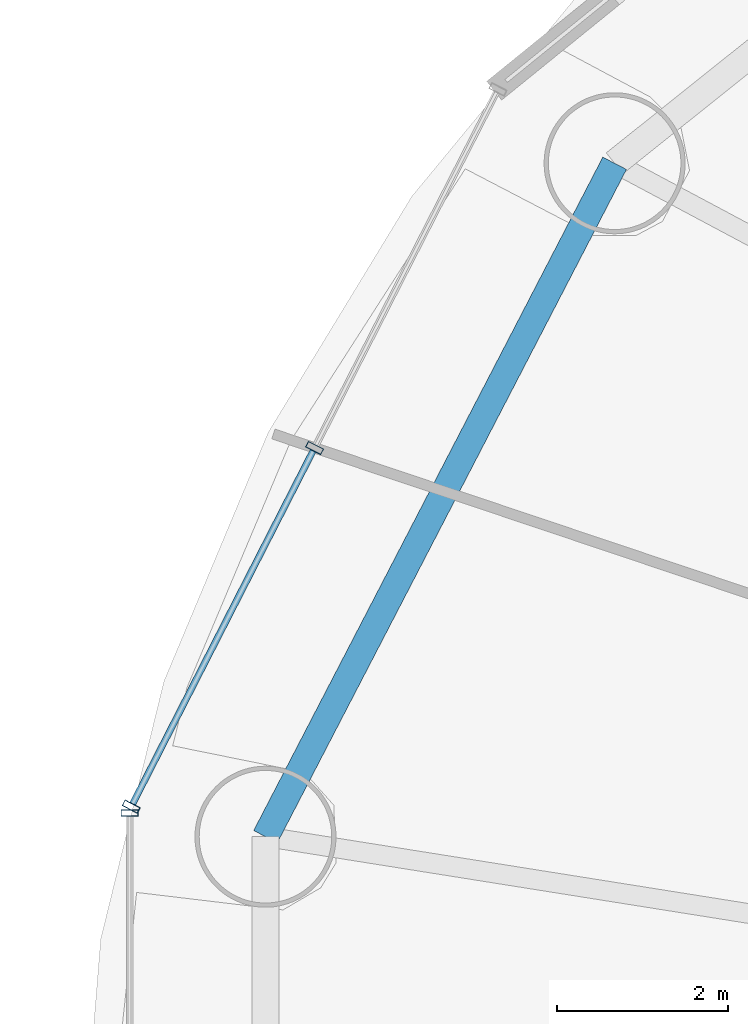
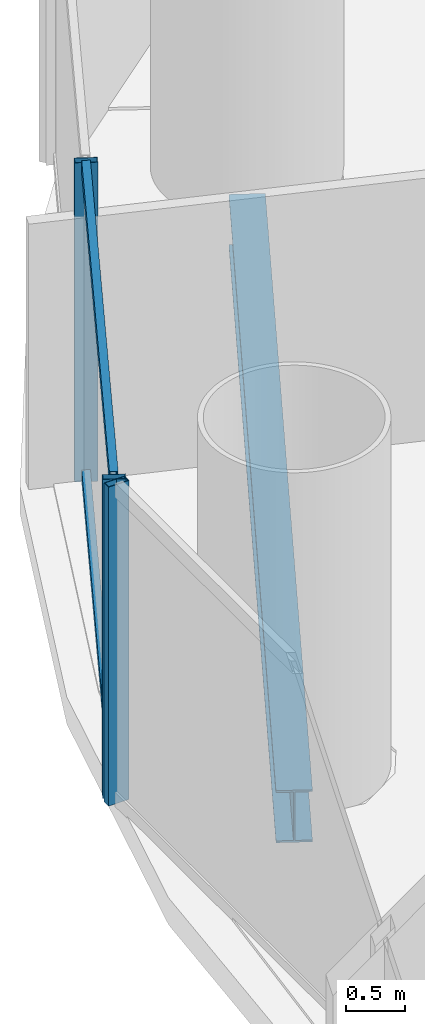
# One storey, part 9 of 30: 5 members, 1 beam, 2 elements without a shape of their own.
"""IFC4 building model written with IfcOpenShell, lengths in metres."""

from ifc_helpers import new_model, si_unit, direction, frame, origin, origin_2d, place, context, subcontext, project, spatial, hollow_rectangle, i_section, extrude, source, transform, mapped, material, material_profile, profile_set, type_object, element, aggregate, save


model = new_model("IFC4")

# Units and contexts
model_context = context("Model", 3, precision=1e-05, world=origin(), true_north=direction((-0.2419218956, 0.970295726276)))
body_context = subcontext(model_context, "Body", "Model", "MODEL_VIEW")
ifc_project = project(units=[si_unit("LENGTHUNIT", "METRE"), si_unit("AREAUNIT", "SQUARE_METRE"), si_unit("VOLUMEUNIT", "CUBIC_METRE"), si_unit("PLANEANGLEUNIT", "RADIAN"), si_unit("MASSUNIT", "GRAM", prefix="KILO")], contexts=[model_context])

# Site, building, storey
site_placement = place(None, origin())
site = spatial("IfcSite", under=ifc_project, at=site_placement, CompositionType="ELEMENT")
building_placement = place(site_placement, origin())
building = spatial("IfcBuilding", under=site, at=building_placement, Name="Cobrevalo Terracotta Tower", CompositionType="ELEMENT")
storey_placement = place(building_placement, frame((0.0, 0.0, 60.0)))
storey = spatial("IfcBuildingStorey", under=building, at=storey_placement, Name="L15", CompositionType="ELEMENT", Elevation=60.0)

# Beam
ifc_material_1 = material(Name="Steel S355", Category="steel")
ifc_material_profile_1 = material_profile(ifc_material_1, i_section(OverallWidth=0.31201171875, OverallDepth=0.54296875, WebThickness=0.0126953125, FlangeThickness=0.020263671875, at=origin_2d()), Name="W 530x150")
ifc_profile_set_1 = profile_set([ifc_material_profile_1], Name="Steel S355")
beam_type = type_object("IfcBeamType", Name="Structural Spandrel W 530x150 (Steel S355)", PredefinedType="SPANDREL", material=ifc_profile_set_1)
beam_placement = place(storey_placement, frame((15.25927734375, 38.939208984375, -0.551513671875), z_axis=(-0.460285838799, -0.88777077368, 0.0), x_axis=(0.88777077368, -0.460285838799, 0.0)))
element("IfcBeam", 1, at=beam_placement, inside=storey, type_object=beam_type, Name="L15 perimeter ring spandrel 07", PredefinedType="SPANDREL", context=body_context, shape_type="SweptSolid", body=[
    extrude(i_section(OverallWidth=0.31201171875, OverallDepth=0.54296875, WebThickness=0.0126953125, FlangeThickness=0.020263671875, at=origin_2d()), origin(), (0.0, 0.0, 1.0), 8.8720703125),
])

# Curtain wall, members
ifc_material_2 = material(Name="Anodized aluminium", Category="aluminium")
curtain_wall_type = type_object("IfcCurtainWallType", Name="Lower-tower unitised acoustic low-E curtain wall CW-U1", PredefinedType="NOTDEFINED", material=ifc_material_2)
curtain_wall_1_placement = place(storey_placement, origin())
curtain_wall_1 = element("IfcCurtainWall", 2, at=curtain_wall_1_placement, inside=storey, type_object=curtain_wall_type, Name="L15 curtain wall CW-L15-S07", PredefinedType="NOTDEFINED")
ifc_material_profile_2 = material_profile(ifc_material_2, hollow_rectangle(XDim=0.074951171875, YDim=0.199951171875, WallThickness=0.0048828125, at=origin_2d()), Name="CWM 75x200")
ifc_profile_set_2 = profile_set([ifc_material_profile_2], Name="Anodized aluminium")
member_type_1 = type_object("IfcMemberType", Name="Lower/mid tower unitised mullion 75x200", PredefinedType="MULLION", material=ifc_profile_set_2)
shared_shape_1 = source(origin(), body_context, "Body", "SweptSolid", [
    extrude(hollow_rectangle(XDim=0.074951171875, YDim=0.199951171875, WallThickness=0.0048828125, at=origin_2d()), origin(), (0.0, 0.0, 1.0), 3.320068359375),
])
member_1_placement = place(storey_placement, frame((11.74951171875, 35.60888671875, 0.0), z_axis=(0.0, 0.0, 1.0), x_axis=(-0.455234136597, -0.890371765543, 0.0)))
member_1 = element("IfcMember", 3, at=member_1_placement, type_object=member_type_1, Name="CW-L15-S07 vertical mullion 02", PredefinedType="MULLION", context=body_context, shape_type="MappedRepresentation", body=[
    mapped(shared_shape_1, transform((0.0, 0.0, 0.0), scale=1.0)),
])
member_2_placement = place(storey_placement, frame((9.60498046875, 31.414306640625, 0.0), z_axis=(0.0, 0.0, 1.0), x_axis=(-0.455234136597, -0.890371765543, 0.0)))
member_2 = element("IfcMember", 4, at=member_2_placement, type_object=member_type_1, Name="CW-L15-S07 vertical mullion 03", PredefinedType="MULLION", context=body_context, shape_type="MappedRepresentation", body=[
    mapped(shared_shape_1, transform((0.0, 0.0, 0.0), scale=1.0)),
])

# Curtain wall, member
curtain_wall_2_placement = place(storey_placement, origin())
curtain_wall_2 = element("IfcCurtainWall", 5, at=curtain_wall_2_placement, inside=storey, type_object=curtain_wall_type, Name="L15 curtain wall CW-L15-S08", PredefinedType="NOTDEFINED")
member_3_placement = place(storey_placement, frame((9.586669921875, 31.3388671875, 0.0), z_axis=(0.0, 0.0, 1.0), x_axis=(0.0, -1.0, 0.0)))
member_3 = element("IfcMember", 6, at=member_3_placement, type_object=member_type_1, Name="CW-L15-S08 vertical mullion 01", PredefinedType="MULLION", context=body_context, shape_type="MappedRepresentation", body=[
    mapped(shared_shape_1, transform((0.0, 0.0, 0.0), scale=1.0)),
])
aggregate(curtain_wall_2, [member_3])

# Member
ifc_material_profile_3 = material_profile(ifc_material_2, hollow_rectangle(XDim=0.074951171875, YDim=0.14990234375, WallThickness=0.00439453125, at=origin_2d()), Name="CWT 75x150")
ifc_profile_set_3 = profile_set([ifc_material_profile_3], Name="Anodized aluminium")
member_type_2 = type_object("IfcMemberType", Name="Tower unitised aluminium transom 75x150", PredefinedType="USERDEFINED", material=ifc_profile_set_3)
shared_shape_2 = source(origin(), body_context, "Body", "SweptSolid", [
    extrude(hollow_rectangle(XDim=0.074951171875, YDim=0.14990234375, WallThickness=0.00439453125, at=origin_2d()), origin(), (0.0, 0.0, 1.0), 4.631103515625),
])
member_4_placement = place(storey_placement, frame((11.731201171875, 35.573486328125, 0.050048828125), z_axis=(-0.455208584993, -0.890384829245, 0.0), x_axis=(0.890384829245, -0.455208584993, 0.0)))
member_4 = element("IfcMember", 7, at=member_4_placement, type_object=member_type_2, Name="CW-L15-S07 transom B02-T1", ObjectType="TRANSOM", PredefinedType="USERDEFINED", context=body_context, shape_type="MappedRepresentation", body=[
    mapped(shared_shape_2, transform((0.0, 0.0, 0.0), scale=1.0)),
])

member_5_placement = place(storey_placement, frame((11.731201171875, 35.573486328125, 3.27001953125), z_axis=(-0.455208584993, -0.890384829245, 0.0), x_axis=(0.890384829245, -0.455208584993, 0.0)))
member_5 = element("IfcMember", 8, at=member_5_placement, type_object=member_type_2, Name="CW-L15-S07 transom B02-T2", ObjectType="TRANSOM", PredefinedType="USERDEFINED", context=body_context, shape_type="MappedRepresentation", body=[
    mapped(shared_shape_2, transform((0.0, 0.0, 0.0), scale=1.0)),
])

aggregate(curtain_wall_1, [member_1, member_2, member_4, member_5])

save(model, "model.ifc")
